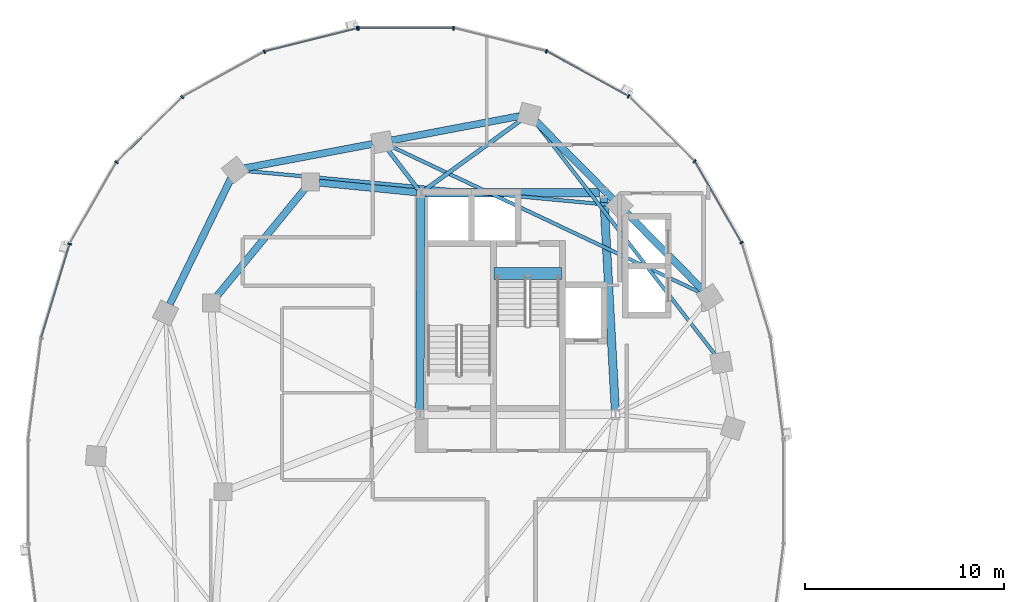
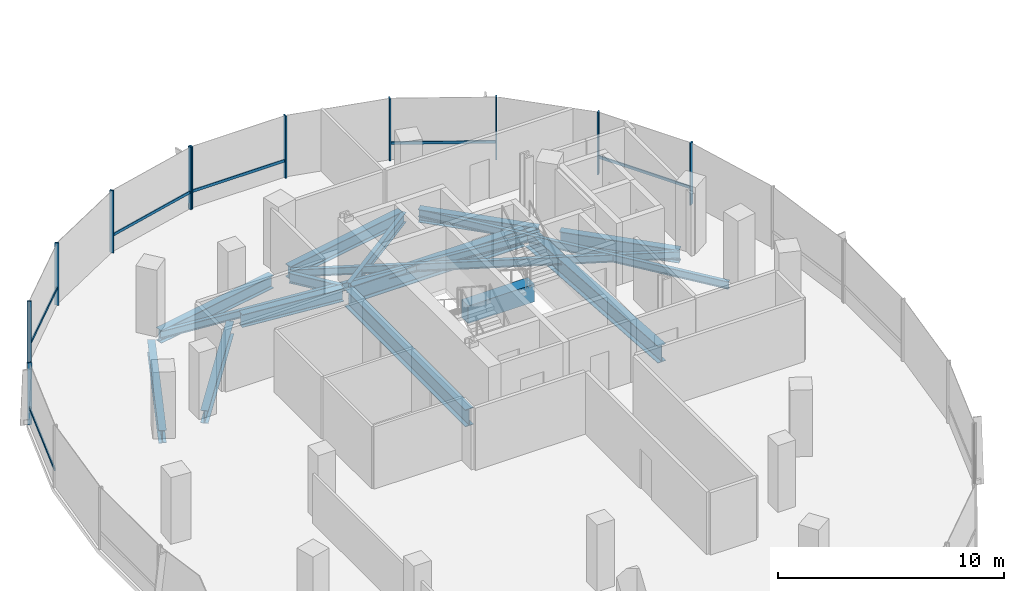
# One storey, part 5 of 21: 17 members, 16 beams, 2 elements without a shape of their own.
"""IFC4 building model written with IfcOpenShell, lengths in metres."""

from ifc_helpers import new_model, si_unit, direction, frame, origin, origin_2d, place, context, subcontext, project, spatial, rectangle, i_section, extrude, material, material_profile, profile_set, type_object, element, aggregate, save


model = new_model("IFC4")

# Units and contexts
model_context = context("Model", 3, precision=1e-05, world=origin(), true_north=direction((0.0, 1.0)))
body_context = subcontext(model_context, "Body", "Model", "MODEL_VIEW")
ifc_project = project(units=[si_unit("LENGTHUNIT", "METRE"), si_unit("AREAUNIT", "SQUARE_METRE"), si_unit("VOLUMEUNIT", "CUBIC_METRE"), si_unit("PLANEANGLEUNIT", "RADIAN"), si_unit("MASSUNIT", "GRAM", prefix="KILO"), si_unit("THERMODYNAMICTEMPERATUREUNIT", "KELVIN"), si_unit("POWERUNIT", "WATT")], contexts=[model_context])

# Site, building, storey
site_placement = place(None, origin())
site = spatial("IfcSite", under=ifc_project, at=site_placement, CompositionType="ELEMENT")
building_placement = place(site_placement, origin())
building = spatial("IfcBuilding", under=site, at=building_placement, Name="Cundina Bronze Exchange", CompositionType="ELEMENT")
storey_placement = place(building_placement, frame((0.0, 0.0, 180.0)))
storey = spatial("IfcBuildingStorey", under=building, at=storey_placement, Name="L47", CompositionType="ELEMENT", Elevation=180.0)

# Beams
ifc_material_1 = material(Name="Concrete C60/75", Category="concrete")
ifc_material_profile_1 = material_profile(ifc_material_1, rectangle(XDim=0.60009765625, YDim=0.949951171875, at=origin_2d()), Name="RC600X950", Category="concrete")
ifc_profile_set_1 = profile_set([ifc_material_profile_1], Name="Concrete C60/75")
beam_type_1 = type_object("IfcBeamType", Name="BM-COUP-RC950", PredefinedType="LINTEL", material=ifc_profile_set_1)
beam_1_placement = place(storey_placement, frame((-27.56005859375, 10.97998046875, -0.47509765625), z_axis=(1.0, 0.0, 0.0), x_axis=(0.0, 1.0, 0.0)))
element("IfcBeam", 1, at=beam_1_placement, inside=storey, type_object=beam_type_1, Name="L47 Stair W2 Landing Header Beam", PredefinedType="LINTEL", context=body_context, shape_type="SweptSolid", body=[
    extrude(rectangle(XDim=0.60009765625, YDim=0.949951171875, at=origin_2d()), origin(), (0.0, 0.0, 1.0), 3.400146484375),
])
ifc_material_2 = material(Name="Steel ASTM A992 Grade 50", Category="steel")
ifc_material_profile_2 = material_profile(ifc_material_2, i_section(OverallWidth=0.2119140625, OverallDepth=0.5439453125, WebThickness=0.01318359375, FlangeThickness=0.021240234375, FilletRadius=0.013916015625, at=origin_2d()), Name="W21X83", Category="steel")
ifc_profile_set_2 = profile_set([ifc_material_profile_2], Name="Steel ASTM A992 Grade 50")
beam_type_2 = type_object("IfcBeamType", Name="BM-FLR-W21A", PredefinedType="BEAM", material=ifc_profile_set_2)
beam_2_placement = place(storey_placement, frame((-31.084716796875, 15.169677734375, -0.511962890625), z_axis=(0.809693047063, 0.586853618492, 0.0), x_axis=(-0.586853618492, 0.809693047063, 0.0)))
element("IfcBeam", 2, at=beam_2_placement, inside=storey, type_object=beam_type_2, Name="L47 Leg W Radial Floor Beam 04", PredefinedType="BEAM", context=body_context, shape_type="SweptSolid", body=[
    extrude(i_section(OverallWidth=0.2119140625, OverallDepth=0.5439453125, WebThickness=0.01318359375, FlangeThickness=0.021240234375, FilletRadius=0.013916015625, at=origin_2d()), origin(), (0.0, 0.0, 1.0), 6.038818359375),
])
beam_3_placement = place(storey_placement, frame((-31.373779296875, 15.2119140625, -0.511962890625), z_axis=(-0.607450107571, 0.794357832977, 0.0), x_axis=(-0.794357832977, -0.607450107571, 0.0)))
element("IfcBeam", 3, at=beam_3_placement, inside=storey, type_object=beam_type_2, Name="L47 Leg W Radial Floor Beam 05", PredefinedType="BEAM", context=body_context, shape_type="SweptSolid", body=[
    extrude(i_section(OverallWidth=0.2119140625, OverallDepth=0.5439453125, WebThickness=0.01318359375, FlangeThickness=0.021240234375, FilletRadius=0.013916015625, at=origin_2d()), origin(), (0.0, 0.0, 1.0), 2.518310546875),
])
ifc_material_profile_3 = material_profile(ifc_material_2, i_section(OverallWidth=0.178955078125, OverallDepth=0.409912109375, WebThickness=0.0087890625, FlangeThickness=0.014404296875, FilletRadius=0.010986328125, at=origin_2d()), Name="W16X45", Category="steel")
ifc_profile_set_3 = profile_set([ifc_material_profile_3], Name="Steel ASTM A992 Grade 50")
beam_type_3 = type_object("IfcBeamType", Name="BM-JST-W16", PredefinedType="JOIST", material=ifc_profile_set_3)
beam_4_placement = place(storey_placement, frame((-16.423583984375, 6.885986328125, -0.445068359375), z_axis=(-0.61208354334, 0.790793105668, 0.0), x_axis=(-0.790793105668, -0.61208354334, 0.0)))
element("IfcBeam", 4, at=beam_4_placement, inside=storey, type_object=beam_type_3, Name="L47 Leg W Lobe Floor Joist 01-04", PredefinedType="JOIST", context=body_context, shape_type="SweptSolid", body=[
    extrude(i_section(OverallWidth=0.178955078125, OverallDepth=0.409912109375, WebThickness=0.0087890625, FlangeThickness=0.014404296875, FilletRadius=0.010986328125, at=origin_2d()), origin(), (0.0, 0.0, 1.0), 14.830810546875),
])
beam_5_placement = place(storey_placement, frame((-17.14111328125, 10.008544921875, -0.445068359375), z_axis=(-0.904074252188, 0.427375416385, 0.0), x_axis=(-0.427375416385, -0.904074252188, 0.0)))
element("IfcBeam", 5, at=beam_5_placement, inside=storey, type_object=beam_type_3, Name="L47 Leg W Lobe Floor Joist 02-05", PredefinedType="JOIST", context=body_context, shape_type="SweptSolid", body=[
    extrude(i_section(OverallWidth=0.178955078125, OverallDepth=0.409912109375, WebThickness=0.0087890625, FlangeThickness=0.014404296875, FilletRadius=0.010986328125, at=origin_2d()), origin(), (0.0, 0.0, 1.0), 17.274658203125),
])
beam_6_placement = place(storey_placement, frame((-21.73583984375, 14.4453125, -0.445068359375), z_axis=(-0.995701840093, 0.092616659595, 0.0), x_axis=(-0.092616659595, -0.995701840093, 0.0)))
element("IfcBeam", 6, at=beam_6_placement, inside=storey, type_object=beam_type_3, Name="L47 Leg W Lobe Floor Joist 03-06", PredefinedType="JOIST", context=body_context, shape_type="SweptSolid", body=[
    extrude(i_section(OverallWidth=0.178955078125, OverallDepth=0.409912109375, WebThickness=0.0087890625, FlangeThickness=0.014404296875, FilletRadius=0.010986328125, at=origin_2d()), origin(), (0.0, 0.0, 1.0), 18.45751953125),
])
ifc_material_profile_4 = material_profile(ifc_material_2, i_section(OverallWidth=0.35498046875, OverallDepth=0.695068359375, WebThickness=0.015380859375, FlangeThickness=0.02490234375, FilletRadius=0.01806640625, at=origin_2d()), Name="W27X146", Category="steel")
ifc_profile_set_4 = profile_set([ifc_material_profile_4], Name="Steel ASTM A992 Grade 50")
beam_type_4 = type_object("IfcBeamType", Name="BM-RING-W27", PredefinedType="USERDEFINED", material=ifc_profile_set_4)
beam_7_placement = place(storey_placement, frame((-31.452880859375, 15.070068359375, -0.58740234375), z_axis=(-0.995123020608, 0.098641643622, 0.0), x_axis=(-0.098641643622, -0.995123020608, 0.0)))
element("IfcBeam", 7, at=beam_7_placement, inside=storey, type_object=beam_type_4, Name="L47 W Inner Structural Ring Girder 01", ObjectType="GIRDER", PredefinedType="USERDEFINED", context=body_context, shape_type="SweptSolid", body=[
    extrude(i_section(OverallWidth=0.35498046875, OverallDepth=0.695068359375, WebThickness=0.015380859375, FlangeThickness=0.02490234375, FilletRadius=0.01806640625, at=origin_2d()), origin(), (0.0, 0.0, 1.0), 4.935302734375),
])
beam_8_placement = place(storey_placement, frame((-37.07763671875, 15.26123046875, -0.58740234375), z_axis=(-0.633912590175, -0.77340469873, 0.0), x_axis=(0.77340469873, -0.633912590175, 0.0)))
element("IfcBeam", 8, at=beam_8_placement, inside=storey, type_object=beam_type_4, Name="L47 W Inner Structural Ring Girder 02", ObjectType="GIRDER", PredefinedType="USERDEFINED", context=body_context, shape_type="SweptSolid", body=[
    extrude(i_section(OverallWidth=0.35498046875, OverallDepth=0.695068359375, WebThickness=0.015380859375, FlangeThickness=0.02490234375, FilletRadius=0.01806640625, at=origin_2d()), origin(), (0.0, 0.0, 1.0), 7.01123046875),
])
beam_9_placement = place(storey_placement, frame((-17.043212890625, 10.14697265625, -0.58740234375), z_axis=(-0.703230112979, 0.710962311378, 0.0), x_axis=(-0.710962311378, -0.703230112979, 0.0)))
element("IfcBeam", 9, at=beam_9_placement, inside=storey, type_object=beam_type_4, Name="L47 W Perimeter Ring Girder 02", ObjectType="GIRDER", PredefinedType="USERDEFINED", context=body_context, shape_type="SweptSolid", body=[
    extrude(i_section(OverallWidth=0.35498046875, OverallDepth=0.695068359375, WebThickness=0.015380859375, FlangeThickness=0.02490234375, FilletRadius=0.01806640625, at=origin_2d()), origin(), (0.0, 0.0, 1.0), 5.493896484375),
])
beam_10_placement = place(storey_placement, frame((-21.59326171875, 14.746826171875, -0.58740234375), z_axis=(-0.703207895705, 0.710984286337, 0.0), x_axis=(-0.710984286337, -0.703207895705, 0.0)))
element("IfcBeam", 10, at=beam_10_placement, inside=storey, type_object=beam_type_4, Name="L47 W Perimeter Ring Girder 03", ObjectType="GIRDER", PredefinedType="USERDEFINED", context=body_context, shape_type="SweptSolid", body=[
    extrude(i_section(OverallWidth=0.35498046875, OverallDepth=0.695068359375, WebThickness=0.015380859375, FlangeThickness=0.02490234375, FilletRadius=0.01806640625, at=origin_2d()), origin(), (0.0, 0.0, 1.0), 5.494140625),
])
beam_11_placement = place(storey_placement, frame((-26.279541015625, 18.9091796875, -0.58740234375), z_axis=(-0.982571532667, -0.185884865421, 0.0), x_axis=(0.185884865421, -0.982571532667, 0.0)))
element("IfcBeam", 11, at=beam_11_placement, inside=storey, type_object=beam_type_4, Name="L47 W Perimeter Ring Girder 04", ObjectType="GIRDER", PredefinedType="USERDEFINED", context=body_context, shape_type="SweptSolid", body=[
    extrude(i_section(OverallWidth=0.35498046875, OverallDepth=0.695068359375, WebThickness=0.015380859375, FlangeThickness=0.02490234375, FilletRadius=0.01806640625, at=origin_2d()), origin(), (0.0, 0.0, 1.0), 6.55517578125),
])
beam_12_placement = place(storey_placement, frame((-33.679443359375, 17.50927734375, -0.58740234375), z_axis=(-0.982572819495, -0.185878063226, 0.0), x_axis=(0.185878063226, -0.982572819495, 0.0)))
element("IfcBeam", 12, at=beam_12_placement, inside=storey, type_object=beam_type_4, Name="L47 W Perimeter Ring Girder 05", ObjectType="GIRDER", PredefinedType="USERDEFINED", context=body_context, shape_type="SweptSolid", body=[
    extrude(i_section(OverallWidth=0.35498046875, OverallDepth=0.695068359375, WebThickness=0.015380859375, FlangeThickness=0.02490234375, FilletRadius=0.01806640625, at=origin_2d()), origin(), (0.0, 0.0, 1.0), 6.555419921875),
])
beam_13_placement = place(storey_placement, frame((-40.8134765625, 15.760986328125, -0.58740234375), z_axis=(-0.437196998825, -0.89936576776, 0.0), x_axis=(0.89936576776, -0.437196998825, 0.0)))
element("IfcBeam", 13, at=beam_13_placement, inside=storey, type_object=beam_type_4, Name="L47 W Perimeter Ring Girder 06", ObjectType="GIRDER", PredefinedType="USERDEFINED", context=body_context, shape_type="SweptSolid", body=[
    extrude(i_section(OverallWidth=0.35498046875, OverallDepth=0.695068359375, WebThickness=0.015380859375, FlangeThickness=0.02490234375, FilletRadius=0.01806640625, at=origin_2d()), origin(), (0.0, 0.0, 1.0), 7.029541015625),
])
ifc_material_profile_5 = material_profile(ifc_material_2, i_section(OverallWidth=0.41796875, OverallDepth=0.927001953125, WebThickness=0.019287109375, FlangeThickness=0.031982421875, FilletRadius=0.02392578125, at=origin_2d()), Name="W36X231", Category="steel")
ifc_profile_set_5 = profile_set([ifc_material_profile_5], Name="Steel ASTM A992 Grade 50")
beam_type_5 = type_object("IfcBeamType", Name="BM-WRN-W36B", PredefinedType="USERDEFINED", material=ifc_profile_set_5)
beam_14_placement = place(storey_placement, frame((-21.4609375, 4.103759765625, -0.70361328125), z_axis=(-0.053739193498, 0.998555005537, 0.0), x_axis=(-0.998555005537, -0.053739193498, 0.0)))
element("IfcBeam", 14, at=beam_14_placement, inside=storey, type_object=beam_type_5, Name="L47 W Core Perimeter Tie Girder 2", ObjectType="GIRDER", PredefinedType="USERDEFINED", context=body_context, shape_type="SweptSolid", body=[
    extrude(i_section(OverallWidth=0.41796875, OverallDepth=0.927001953125, WebThickness=0.019287109375, FlangeThickness=0.031982421875, FilletRadius=0.02392578125, at=origin_2d()), origin(), (0.0, 0.0, 1.0), 10.758056640625),
])
beam_15_placement = place(storey_placement, frame((-22.25390625, 15.050048828125, -0.70361328125), z_axis=(-1.0, 0.0, 0.0), x_axis=(0.0, -1.0, 0.0)))
element("IfcBeam", 15, at=beam_15_placement, inside=storey, type_object=beam_type_5, Name="L47 W Core Perimeter Tie Girder 3", ObjectType="GIRDER", PredefinedType="USERDEFINED", context=body_context, shape_type="SweptSolid", body=[
    extrude(i_section(OverallWidth=0.41796875, OverallDepth=0.927001953125, WebThickness=0.019287109375, FlangeThickness=0.031982421875, FilletRadius=0.02392578125, at=origin_2d()), origin(), (0.0, 0.0, 1.0), 8.7919921875),
])
beam_16_placement = place(storey_placement, frame((-31.2509765625, 14.845947265625, -0.70361328125), z_axis=(-0.004477329608, -0.99998997671, 0.0), x_axis=(0.99998997671, -0.004477329608, 0.0)))
element("IfcBeam", 16, at=beam_16_placement, inside=storey, type_object=beam_type_5, Name="L47 W Core Perimeter Tie Girder 4", ObjectType="GIRDER", PredefinedType="USERDEFINED", context=body_context, shape_type="SweptSolid", body=[
    extrude(i_section(OverallWidth=0.41796875, OverallDepth=0.927001953125, WebThickness=0.019287109375, FlangeThickness=0.031982421875, FilletRadius=0.02392578125, at=origin_2d()), origin(), (0.0, 0.0, 1.0), 10.741943359375),
])

# Curtain wall, members
ifc_material_3 = material(Name="Anodised Bronze Aluminium 6063-T6", Category="aluminium")
curtain_wall_type = type_object("IfcCurtainWallType", Name="CWS-WST-PIN", PredefinedType="NOTDEFINED", material=ifc_material_3)
curtain_wall_1_placement = place(storey_placement, origin())
curtain_wall_1 = element("IfcCurtainWall", 17, at=curtain_wall_1_placement, inside=storey, type_object=curtain_wall_type, Name="L47 CW-04 Curtain Wall Run CWR-L47-W1", PredefinedType="NOTDEFINED")
ifc_material_profile_6 = material_profile(ifc_material_3, rectangle(XDim=0.070068359375, YDim=0.18994140625, at=origin_2d()), Name="AL70X190", Category="aluminium")
ifc_profile_set_6 = profile_set([ifc_material_profile_6], Name="Anodised Bronze Aluminium 6063-T6")
member_type_1 = type_object("IfcMemberType", Name="CWM-MUL-190", PredefinedType="MULLION", material=ifc_profile_set_6)
member_1_placement = place(storey_placement, frame((-15.10205078125, 12.541259765625, 0.0), z_axis=(0.0, 0.0, 1.0), x_axis=(-0.498487739754, 0.866896748936, 0.0)))
member_1 = element("IfcMember", 18, at=member_1_placement, type_object=member_type_1, Name="CW-04 Mullion 3", PredefinedType="MULLION", context=body_context, shape_type="SweptSolid", body=[
    extrude(rectangle(XDim=0.070068359375, YDim=0.18994140625, at=origin_2d()), origin(), (0.0, 0.0, 1.0), 3.360107421875),
])
member_2_placement = place(storey_placement, frame((-17.469482421875, 16.640380859375, 0.0), z_axis=(0.0, 0.0, 1.0), x_axis=(-0.712026045991, 0.702153052995, 0.0)))
member_2 = element("IfcMember", 19, at=member_2_placement, type_object=member_type_1, Name="CW-04 Mullion 4", PredefinedType="MULLION", context=body_context, shape_type="SweptSolid", body=[
    extrude(rectangle(XDim=0.070068359375, YDim=0.18994140625, at=origin_2d()), origin(), (0.0, 0.0, 1.0), 3.360107421875),
])
member_3_placement = place(storey_placement, frame((-20.79345703125, 19.906005859375, 0.0), z_axis=(0.0, 0.0, 1.0), x_axis=(-0.875885937035, 0.482518212408, 0.0)))
member_3 = element("IfcMember", 20, at=member_3_placement, type_object=member_type_1, Name="CW-04 Mullion 5", PredefinedType="MULLION", context=body_context, shape_type="SweptSolid", body=[
    extrude(rectangle(XDim=0.070068359375, YDim=0.18994140625, at=origin_2d()), origin(), (0.0, 0.0, 1.0), 3.360107421875),
])
member_4_placement = place(storey_placement, frame((-24.932373046875, 22.17626953125, 0.0), z_axis=(0.0, 0.0, 1.0), x_axis=(-0.970084240161, 0.242768546132, 0.0)))
member_4 = element("IfcMember", 21, at=member_4_placement, type_object=member_type_1, Name="CW-04 Mullion 6", PredefinedType="MULLION", context=body_context, shape_type="SweptSolid", body=[
    extrude(rectangle(XDim=0.070068359375, YDim=0.18994140625, at=origin_2d()), origin(), (0.0, 0.0, 1.0), 3.360107421875),
])
member_5_placement = place(storey_placement, frame((-29.60595703125, 23.3369140625, 0.0), z_axis=(0.0, 0.0, 1.0), x_axis=(-1.0, 0.0, 0.0)))
member_5 = element("IfcMember", 22, at=member_5_placement, type_object=member_type_1, Name="CW-04 Mullion 7", PredefinedType="MULLION", context=body_context, shape_type="SweptSolid", body=[
    extrude(rectangle(XDim=0.070068359375, YDim=0.18994140625, at=origin_2d()), origin(), (0.0, 0.0, 1.0), 3.360107421875),
])
member_6_placement = place(storey_placement, frame((-34.39404296875, 23.3369140625, 0.0), z_axis=(0.0, 0.0, 1.0), x_axis=(-1.0, 0.0, 0.0)))
member_6 = element("IfcMember", 23, at=member_6_placement, type_object=member_type_1, Name="CW-04 End Mullion", PredefinedType="MULLION", context=body_context, shape_type="SweptSolid", body=[
    extrude(rectangle(XDim=0.070068359375, YDim=0.18994140625, at=origin_2d()), origin(), (0.0, 0.0, 1.0), 3.360107421875),
])

curtain_wall_2_placement = place(storey_placement, origin())
curtain_wall_2 = element("IfcCurtainWall", 24, at=curtain_wall_2_placement, inside=storey, type_object=curtain_wall_type, Name="L47 CW-04 Curtain Wall Run CWR-L47-W2", PredefinedType="NOTDEFINED")
member_7_placement = place(storey_placement, frame((-34.462646484375, 23.32861328125, 0.0), z_axis=(0.0, 0.0, 1.0), x_axis=(-0.970084240161, -0.242768546132, 0.0)))
member_7 = element("IfcMember", 25, at=member_7_placement, type_object=member_type_1, Name="CW-04 Mullion 1", PredefinedType="MULLION", context=body_context, shape_type="SweptSolid", body=[
    extrude(rectangle(XDim=0.070068359375, YDim=0.18994140625, at=origin_2d()), origin(), (0.0, 0.0, 1.0), 3.360107421875),
])
member_8_placement = place(storey_placement, frame((-39.13037109375, 22.151611328125, 0.0), z_axis=(0.0, 0.0, 1.0), x_axis=(-0.875885937035, -0.482518212408, 0.0)))
member_8 = element("IfcMember", 26, at=member_8_placement, type_object=member_type_1, Name="CW-04 Mullion 2", PredefinedType="MULLION", context=body_context, shape_type="SweptSolid", body=[
    extrude(rectangle(XDim=0.070068359375, YDim=0.18994140625, at=origin_2d()), origin(), (0.0, 0.0, 1.0), 3.360107421875),
])
member_9_placement = place(storey_placement, frame((-43.259033203125, 19.86669921875, 0.0), z_axis=(0.0, 0.0, 1.0), x_axis=(-0.712026045991, -0.702153052995, 0.0)))
member_9 = element("IfcMember", 27, at=member_9_placement, type_object=member_type_1, Name="CW-04 Mullion 3", PredefinedType="MULLION", context=body_context, shape_type="SweptSolid", body=[
    extrude(rectangle(XDim=0.070068359375, YDim=0.18994140625, at=origin_2d()), origin(), (0.0, 0.0, 1.0), 3.360107421875),
])
member_10_placement = place(storey_placement, frame((-46.57080078125, 16.588134765625, 0.0), z_axis=(0.0, 0.0, 1.0), x_axis=(-0.498487739754, -0.866896748936, 0.0)))
member_10 = element("IfcMember", 28, at=member_10_placement, type_object=member_type_1, Name="CW-04 Mullion 4", PredefinedType="MULLION", context=body_context, shape_type="SweptSolid", body=[
    extrude(rectangle(XDim=0.070068359375, YDim=0.18994140625, at=origin_2d()), origin(), (0.0, 0.0, 1.0), 3.360107421875),
])
member_11_placement = place(storey_placement, frame((-48.92626953125, 12.4755859375, 0.0), z_axis=(0.0, 0.0, 1.0), x_axis=(-0.290034140915, -0.957016299288, 0.0)))
member_11 = element("IfcMember", 29, at=member_11_placement, type_object=member_type_1, Name="CW-04 Mullion 5", PredefinedType="MULLION", context=body_context, shape_type="SweptSolid", body=[
    extrude(rectangle(XDim=0.070068359375, YDim=0.18994140625, at=origin_2d()), origin(), (0.0, 0.0, 1.0), 3.360107421875),
])

# Member
ifc_material_profile_7 = material_profile(ifc_material_3, rectangle(XDim=0.06494140625, YDim=0.14990234375, at=origin_2d()), Name="AL65X150", Category="aluminium")
ifc_profile_set_7 = profile_set([ifc_material_profile_7], Name="Anodised Bronze Aluminium 6063-T6")
member_type_2 = type_object("IfcMemberType", Name="CWM-TRN-150", PredefinedType="USERDEFINED", material=ifc_profile_set_7)
member_12_placement = place(storey_placement, frame((-15.121337890625, 12.574462890625, 0.919921875), z_axis=(-0.498479967047, 0.866901218394, 0.0), x_axis=(-0.866901218394, -0.498479967047, 0.0)))
member_12 = element("IfcMember", 30, at=member_12_placement, type_object=member_type_2, Name="CW-04 Spandrel Transom 3", ObjectType="TRANSOM", PredefinedType="USERDEFINED", context=body_context, shape_type="SweptSolid", body=[
    extrude(rectangle(XDim=0.06494140625, YDim=0.14990234375, at=origin_2d()), origin(), (0.0, 0.0, 1.0), 4.66845703125),
])

member_13_placement = place(storey_placement, frame((-20.8271484375, 19.924560546875, 0.919921875), z_axis=(-0.875878981549, 0.482530838062, 0.0), x_axis=(-0.482530838062, -0.875878981549, 0.0)))
member_13 = element("IfcMember", 31, at=member_13_placement, type_object=member_type_2, Name="CW-04 Spandrel Transom 5", ObjectType="TRANSOM", PredefinedType="USERDEFINED", context=body_context, shape_type="SweptSolid", body=[
    extrude(rectangle(XDim=0.06494140625, YDim=0.14990234375, at=origin_2d()), origin(), (0.0, 0.0, 1.0), 4.65380859375),
])

member_14_placement = place(storey_placement, frame((-29.64453125, 23.3369140625, 0.919921875), z_axis=(-1.0, 0.0, 0.0), x_axis=(0.0, -1.0, 0.0)))
member_14 = element("IfcMember", 32, at=member_14_placement, type_object=member_type_2, Name="CW-04 Spandrel Transom 7", ObjectType="TRANSOM", PredefinedType="USERDEFINED", context=body_context, shape_type="SweptSolid", body=[
    extrude(rectangle(XDim=0.06494140625, YDim=0.14990234375, at=origin_2d()), origin(), (0.0, 0.0, 1.0), 4.7109375),
])

aggregate(curtain_wall_1, [member_1, member_12, member_2, member_3, member_13, member_4, member_5, member_6, member_14])

member_15_placement = place(storey_placement, frame((-34.5, 23.319091796875, 0.919921875), z_axis=(-0.970100130035, -0.242705042606, 0.0), x_axis=(0.242705042606, -0.970100130035, 0.0)))
member_15 = element("IfcMember", 33, at=member_15_placement, type_object=member_type_2, Name="CW-04 Spandrel Transom 1", ObjectType="TRANSOM", PredefinedType="USERDEFINED", context=body_context, shape_type="SweptSolid", body=[
    extrude(rectangle(XDim=0.06494140625, YDim=0.14990234375, at=origin_2d()), origin(), (0.0, 0.0, 1.0), 4.746826171875),
])

member_16_placement = place(storey_placement, frame((-43.28662109375, 19.839599609375, 0.919921875), z_axis=(-0.712005023839, -0.702174370102, 0.0), x_axis=(0.702174370102, -0.712005023839, 0.0)))
member_16 = element("IfcMember", 34, at=member_16_placement, type_object=member_type_2, Name="CW-04 Spandrel Transom 3", ObjectType="TRANSOM", PredefinedType="USERDEFINED", context=body_context, shape_type="SweptSolid", body=[
    extrude(rectangle(XDim=0.06494140625, YDim=0.14990234375, at=origin_2d()), origin(), (0.0, 0.0, 1.0), 4.594482421875),
])

member_17_placement = place(storey_placement, frame((-48.937255859375, 12.43896484375, 0.919921875), z_axis=(-0.290051855969, -0.957010930371, 0.0), x_axis=(0.957010930371, -0.290051855969, 0.0)))
member_17 = element("IfcMember", 35, at=member_17_placement, type_object=member_type_2, Name="CW-04 Spandrel Transom 5", ObjectType="TRANSOM", PredefinedType="USERDEFINED", context=body_context, shape_type="SweptSolid", body=[
    extrude(rectangle(XDim=0.06494140625, YDim=0.14990234375, at=origin_2d()), origin(), (0.0, 0.0, 1.0), 4.876953125),
])

aggregate(curtain_wall_2, [member_7, member_15, member_8, member_9, member_16, member_10, member_11, member_17])

save(model, "model.ifc")
